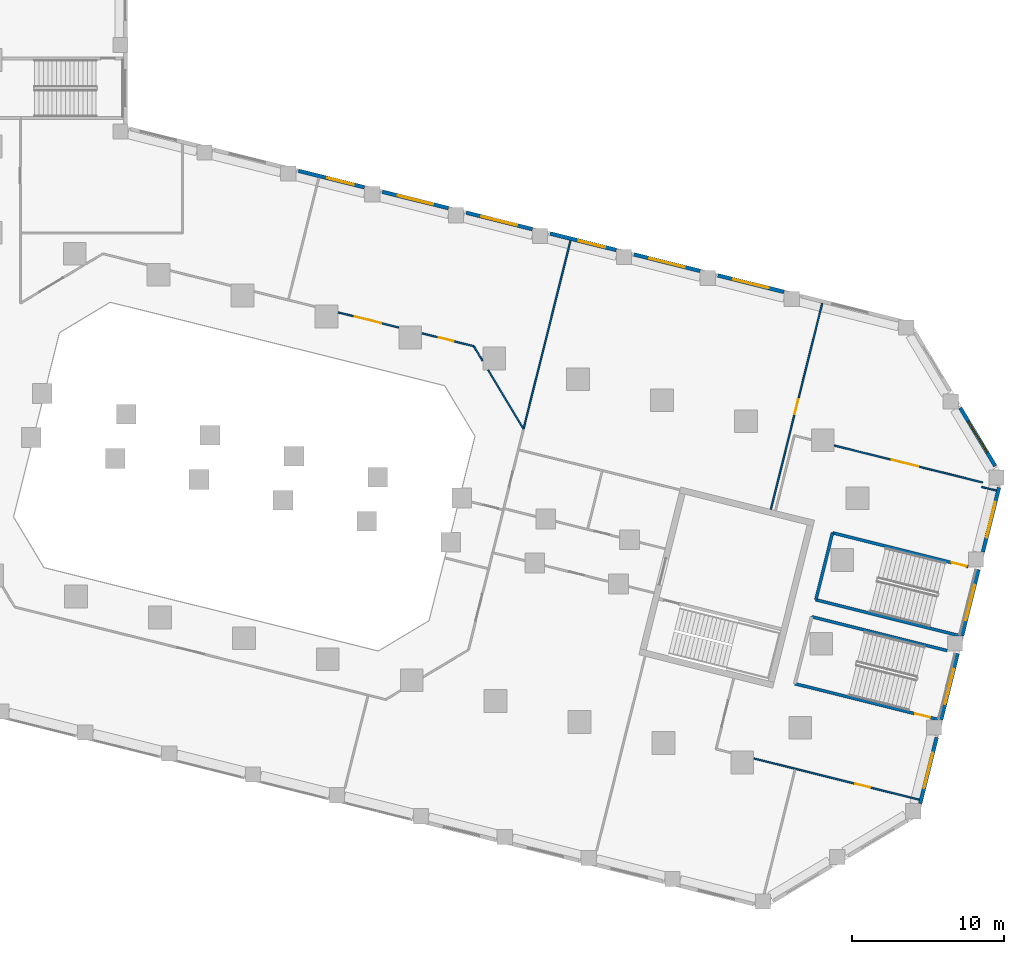
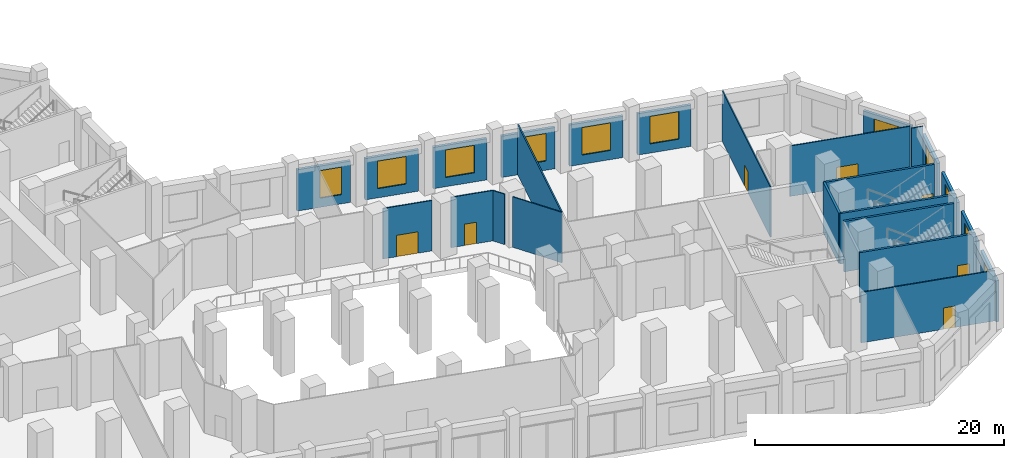
# One storey, part 13 of 23: 25 walls, 11 windows, 7 doors, 18 openings.
"""IFC4 building model written with IfcOpenShell, lengths in metres."""

from ifc_helpers import new_model, si_unit, direction, frame, frame_2d, origin, place, context, subcontext, project, spatial, rectangle, extrude, material, layer, layer_set, type_object, element, fill, save


model = new_model("IFC4")

# Units and contexts
model_context = context("Model", 3, precision=1e-05, world=origin(), true_north=direction((0.0, 1.0)))
body_context = subcontext(model_context, "Body", "Model", "MODEL_VIEW")
ifc_project = project(units=[si_unit("LENGTHUNIT", "METRE"), si_unit("AREAUNIT", "SQUARE_METRE"), si_unit("VOLUMEUNIT", "CUBIC_METRE"), si_unit("PLANEANGLEUNIT", "RADIAN"), si_unit("MASSUNIT", "GRAM", prefix="KILO")], contexts=[model_context])

# Site, building, storey
site_placement = place(None, origin())
site = spatial("IfcSite", under=ifc_project, at=site_placement, CompositionType="ELEMENT")
building_placement = place(site_placement, origin())
building = spatial("IfcBuilding", under=site, at=building_placement, Name="Meshkara Civic Tower", CompositionType="ELEMENT")
storey_placement = place(building_placement, frame((0.0, 0.0, 7.199951171875)))
storey = spatial("IfcBuildingStorey", under=building, at=storey_placement, Name="L01", CompositionType="ELEMENT", Elevation=7.199951171875)

# Wall, opening, door
ifc_material_1 = material(Name="Corridor wall 100")
ifc_layer_1 = layer(ifc_material_1, 0.10009765625)
ifc_layer_set_1 = layer_set([ifc_layer_1], Name="Corridor wall 100")
wall_type_1 = type_object("IfcWallType", Name="Corridor wall 100", PredefinedType="PARTITIONING", material=ifc_layer_set_1)
wall_1_placement = place(storey_placement, frame((60.23291015625, 8.48095703125, 0.0), z_axis=(0.0, 0.0, 1.0), x_axis=(-0.970334285258, 0.241767191432, 0.0)))
wall_1 = element("IfcWall", 1, at=wall_1_placement, inside=storey, type_object=wall_type_1, Name="L01-R057", PredefinedType="PARTITIONING", context=body_context, shape_type="SweptSolid", body=[
    extrude(rectangle(XDim=4.112060546875, YDim=0.10009765625, at=frame_2d((2.05615234375, 0.0))), origin(), (0.0, 0.0, 1.0), 4.949951171875),
])
opening_1_placement = place(wall_1_placement, frame((1.179931640625, 0.0, 0.0)))
opening_1 = element("IfcOpeningElement", 2, at=opening_1_placement, cuts=wall_1, Name="Opening L01-P019", PredefinedType="OPENING", context=body_context, shape_type="SweptSolid", body=[
    extrude(rectangle(XDim=1.800048828125, YDim=2.10009765625, at=frame_2d((0.89990234375, 1.050048828125))), frame((0.0, 0.06005859375, 0.0), z_axis=(0.0, -1.0, 0.0), x_axis=(1.0, 0.0, 0.0)), (0.0, 0.0, 1.0), 0.1201171875),
])
ifc_material_2 = material(Name="Door pair 1800 x 2100")
door_type_1 = type_object("IfcDoorType", Name="Door pair 1800 x 2100", OperationType="SINGLE_SWING_LEFT", PredefinedType="DOOR", material=ifc_material_2)
door_1_placement = place(opening_1_placement, origin())
door_1 = element("IfcDoor", 3, at=door_1_placement, inside=storey, type_object=door_type_1, Name="L01-P019", OperationType="DOUBLE_DOOR_SINGLE_SWING", OverallHeight=2.10009765625, OverallWidth=1.800048828125, PredefinedType="DOOR", context=body_context, shape_type="SweptSolid", body=[
    extrude(rectangle(XDim=1.800048828125, YDim=2.10009765625, at=frame_2d((0.89990234375, 1.050048828125))), frame((0.0, 0.02490234375, 0.0), z_axis=(0.0, -1.0, 0.0), x_axis=(1.0, 0.0, 0.0)), (0.0, 0.0, 1.0), 0.050048828125),
])
fill(opening_1, door_1)

wall_2_placement = place(storey_placement, frame((65.18896484375, 7.2451171875, 0.0), z_axis=(0.0, 0.0, 1.0), x_axis=(-0.97028917266, 0.241948179203, 0.0)))
wall_2 = element("IfcWall", 4, at=wall_2_placement, inside=storey, type_object=wall_type_1, Name="L01-R061", PredefinedType="PARTITIONING", context=body_context, shape_type="SweptSolid", body=[
    extrude(rectangle(XDim=3.5205078125, YDim=0.10009765625, at=frame_2d((1.76025390625, 0.0))), origin(), (0.0, 0.0, 1.0), 4.949951171875),
])
opening_2_placement = place(wall_2_placement, frame((1.3798828125, 0.0, 0.0)))
opening_2 = element("IfcOpeningElement", 5, at=opening_2_placement, cuts=wall_2, Name="Opening L01-P020", PredefinedType="OPENING", context=body_context, shape_type="SweptSolid", body=[
    extrude(rectangle(XDim=1.0, YDim=2.10009765625, at=frame_2d((0.5, 1.050048828125))), frame((0.0, 0.06005859375, 0.0), z_axis=(0.0, -1.0, 0.0), x_axis=(1.0, 0.0, 0.0)), (0.0, 0.0, 1.0), 0.1201171875),
])
ifc_material_3 = material(Name="Door 1000 x 2100")
door_type_2 = type_object("IfcDoorType", Name="Door 1000 x 2100", OperationType="SINGLE_SWING_LEFT", PredefinedType="DOOR", material=ifc_material_3)
door_2_placement = place(opening_2_placement, origin())
door_2 = element("IfcDoor", 6, at=door_2_placement, inside=storey, type_object=door_type_2, Name="L01-P020", OperationType="SINGLE_SWING_RIGHT", OverallHeight=2.10009765625, OverallWidth=1.0, PredefinedType="DOOR", context=body_context, shape_type="SweptSolid", body=[
    extrude(rectangle(XDim=1.0, YDim=2.10009765625, at=frame_2d((0.5, 1.050048828125))), frame((0.0, 0.02490234375, 0.0), z_axis=(0.0, -1.0, 0.0), x_axis=(1.0, 0.0, 0.0)), (0.0, 0.0, 1.0), 0.050048828125),
])
fill(opening_2, door_2)

# Walls
wall_3_placement = place(storey_placement, frame((65.763916015625, 6.2880859375, 0.0), z_axis=(0.0, 0.0, 1.0), x_axis=(-0.514978043865, 0.857203368132, 0.0)))
element("IfcWall", 7, at=wall_3_placement, inside=storey, type_object=wall_type_1, Name="L01-R062", PredefinedType="PARTITIONING", context=body_context, shape_type="SweptSolid", body=[
    extrude(rectangle(XDim=1.116455078125, YDim=0.10009765625, at=frame_2d((0.55810546875, 0.0))), origin(), (0.0, 0.0, 1.0), 4.949951171875),
])
wall_4_placement = place(storey_placement, frame((68.467041015625, 1.791015625, 0.0), z_axis=(0.0, 0.0, 1.0), x_axis=(-0.51507403496, 0.857145692697, 0.0)))
element("IfcWall", 8, at=wall_4_placement, inside=storey, type_object=wall_type_1, Name="L01-R067", PredefinedType="PARTITIONING", context=body_context, shape_type="SweptSolid", body=[
    extrude(rectangle(XDim=4.53125, YDim=0.10009765625, at=frame_2d((2.265625, 0.0))), origin(), (0.0, 0.0, 1.0), 4.949951171875),
])

# Wall, opening, door
wall_5_placement = place(storey_placement, frame((83.657958984375, -19.930908203125, 0.0), z_axis=(0.0, 0.0, 1.0), x_axis=(0.970304770319, -0.241885619034, 0.0)))
wall_5 = element("IfcWall", 9, at=wall_5_placement, inside=storey, type_object=wall_type_1, Name="L01-R075", PredefinedType="PARTITIONING", context=body_context, shape_type="SweptSolid", body=[
    extrude(rectangle(XDim=11.224609375, YDim=0.10009765625, at=frame_2d((5.6123046875, 0.0))), origin(), (0.0, 0.0, 1.0), 4.949951171875),
])
opening_3_placement = place(wall_5_placement, frame((6.885009765625, 0.0, 0.0)))
opening_3 = element("IfcOpeningElement", 10, at=opening_3_placement, cuts=wall_5, Name="Opening L01-P001", PredefinedType="OPENING", context=body_context, shape_type="SweptSolid", body=[
    extrude(rectangle(XDim=1.0, YDim=2.10009765625, at=frame_2d((0.5, 1.050048828125))), frame((0.0, 0.06005859375, 0.0), z_axis=(0.0, -1.0, 0.0), x_axis=(1.0, 0.0, 0.0)), (0.0, 0.0, 1.0), 0.1201171875),
])
door_3_placement = place(opening_3_placement, origin())
door_3 = element("IfcDoor", 11, at=door_3_placement, inside=storey, type_object=door_type_2, Name="L01-P001", OperationType="SINGLE_SWING_RIGHT", OverallHeight=2.10009765625, OverallWidth=1.0, PredefinedType="DOOR", context=body_context, shape_type="SweptSolid", body=[
    extrude(rectangle(XDim=1.0, YDim=2.10009765625, at=frame_2d((0.5, 1.050048828125))), frame((0.0, 0.02490234375, 0.0), z_axis=(0.0, -1.0, 0.0), x_axis=(1.0, 0.0, 0.0)), (0.0, 0.0, 1.0), 0.050048828125),
])
fill(opening_3, door_3)

wall_6_placement = place(storey_placement, frame((98.73291015625, -1.737060546875, 0.0), z_axis=(0.0, 0.0, 1.0), x_axis=(-0.970310450884, 0.241862830763, 0.0)))
wall_6 = element("IfcWall", 12, at=wall_6_placement, inside=storey, type_object=wall_type_1, Name="L01-R084", PredefinedType="PARTITIONING", context=body_context, shape_type="SweptSolid", body=[
    extrude(rectangle(XDim=10.075927734375, YDim=0.10009765625, at=frame_2d((5.0380859375, 0.0))), origin(), (0.0, 0.0, 1.0), 4.949951171875),
])
opening_4_placement = place(wall_6_placement, frame((4.3798828125, 0.0, 0.0)))
opening_4 = element("IfcOpeningElement", 13, at=opening_4_placement, cuts=wall_6, Name="Opening L01-P012", PredefinedType="OPENING", context=body_context, shape_type="SweptSolid", body=[
    extrude(rectangle(XDim=1.800048828125, YDim=2.10009765625, at=frame_2d((0.89990234375, 1.050048828125))), frame((0.0, 0.06005859375, 0.0), z_axis=(0.0, -1.0, 0.0), x_axis=(1.0, 0.0, 0.0)), (0.0, 0.0, 1.0), 0.1201171875),
])
door_4_placement = place(opening_4_placement, origin())
door_4 = element("IfcDoor", 14, at=door_4_placement, inside=storey, type_object=door_type_1, Name="L01-P012", OperationType="DOUBLE_DOOR_SINGLE_SWING", OverallHeight=2.10009765625, OverallWidth=1.800048828125, PredefinedType="DOOR", context=body_context, shape_type="SweptSolid", body=[
    extrude(rectangle(XDim=1.800048828125, YDim=2.10009765625, at=frame_2d((0.89990234375, 1.050048828125))), frame((0.0, 0.02490234375, 0.0), z_axis=(0.0, -1.0, 0.0), x_axis=(1.0, 0.0, 0.0)), (0.0, 0.0, 1.0), 0.050048828125),
])
fill(opening_4, door_4)

# Wall
wall_7_placement = place(storey_placement, frame((99.63037109375, -2.27001953125, 0.0), z_axis=(0.0, 0.0, 1.0), x_axis=(-0.970300241929, 0.241903783585, 0.0)))
element("IfcWall", 15, at=wall_7_placement, inside=storey, type_object=wall_type_1, Name="L01-R085", PredefinedType="PARTITIONING", context=body_context, shape_type="SweptSolid", body=[
    extrude(rectangle(XDim=1.000244140625, YDim=0.10009765625, at=frame_2d((0.5, 0.0))), origin(), (0.0, 0.0, 1.0), 4.949951171875),
])

# Wall, opening, window
ifc_material_4 = material(Name="Stone cladding on insulated backing wall", Category="masonry")
ifc_layer_2 = layer(ifc_material_4, 0.25)
ifc_layer_set_2 = layer_set([ifc_layer_2], Name="PODIUM STONE WALL 250")
wall_type_2 = type_object("IfcWallType", Name="PODIUM STONE WALL 250", PredefinedType="SOLIDWALL", material=ifc_layer_set_2)
wall_8_placement = place(storey_placement, frame((94.614990234375, -22.89892578125, 0.0), z_axis=(0.0, 0.0, 1.0), x_axis=(0.241946839653, 0.970289506684, 0.0)))
wall_8 = element("IfcWall", 16, at=wall_8_placement, inside=storey, type_object=wall_type_2, Name="Podium external wall", PredefinedType="SOLIDWALL", context=body_context, shape_type="SweptSolid", body=[
    extrude(rectangle(XDim=4.48828125, YDim=0.25, at=frame_2d((2.244140625, 0.0))), origin(), (0.0, 0.0, 1.0), 4.050048828125),
])
opening_5_placement = place(wall_8_placement, frame((1.0439453125, 0.0, 0.89990234375)))
opening_5 = element("IfcOpeningElement", 17, at=opening_5_placement, cuts=wall_8, Name="Opening PW4", PredefinedType="OPENING", context=body_context, shape_type="SweptSolid", body=[
    extrude(rectangle(XDim=2.39990234375, YDim=2.699951171875, at=frame_2d((1.199951171875, 1.35009765625))), frame((0.0, 0.135009765625, 0.0), z_axis=(0.0, -1.0, 0.0), x_axis=(1.0, 0.0, 0.0)), (0.0, 0.0, 1.0), 0.27001953125),
])
ifc_material_5 = material(Name="Tinted double glazing", Category="glass")
window_type_1 = type_object("IfcWindowType", Name="PODIUM WINDOW 2400x2700", PartitioningType="DOUBLE_PANEL_VERTICAL", PredefinedType="WINDOW", material=ifc_material_5)
window_1_placement = place(opening_5_placement, origin())
window_1 = element("IfcWindow", 18, at=window_1_placement, inside=storey, type_object=window_type_1, Name="Podium window", OverallHeight=2.699951171875, OverallWidth=2.39990234375, PartitioningType="DOUBLE_PANEL_VERTICAL", PredefinedType="WINDOW", context=body_context, shape_type="SweptSolid", body=[
    extrude(rectangle(XDim=2.39990234375, YDim=2.699951171875, at=frame_2d((1.199951171875, 1.35009765625))), frame((0.0, 0.030029296875, 0.0), z_axis=(0.0, -1.0, 0.0), x_axis=(1.0, 0.0, 0.0)), (0.0, 0.0, 1.0), 0.06005859375),
])
fill(opening_5, window_1)

wall_9_placement = place(storey_placement, frame((95.9951171875, -17.367919921875, 0.0), z_axis=(0.0, 0.0, 1.0), x_axis=(0.241793032904, 0.970327846266, 0.0)))
wall_9 = element("IfcWall", 19, at=wall_9_placement, inside=storey, type_object=wall_type_2, Name="Podium external wall", PredefinedType="SOLIDWALL", context=body_context, shape_type="SweptSolid", body=[
    extrude(rectangle(XDim=4.487060546875, YDim=0.25, at=frame_2d((2.24365234375, 0.0))), origin(), (0.0, 0.0, 1.0), 4.050048828125),
])
opening_6_placement = place(wall_9_placement, frame((1.0439453125, 0.0, 0.89990234375)))
opening_6 = element("IfcOpeningElement", 20, at=opening_6_placement, cuts=wall_9, Name="Opening PW4", PredefinedType="OPENING", context=body_context, shape_type="SweptSolid", body=[
    extrude(rectangle(XDim=2.39990234375, YDim=2.699951171875, at=frame_2d((1.199951171875, 1.35009765625))), frame((0.0, 0.135009765625, 0.0), z_axis=(0.0, -1.0, 0.0), x_axis=(1.0, 0.0, 0.0)), (0.0, 0.0, 1.0), 0.27001953125),
])
window_2_placement = place(opening_6_placement, origin())
window_2 = element("IfcWindow", 21, at=window_2_placement, inside=storey, type_object=window_type_1, Name="Podium window", OverallHeight=2.699951171875, OverallWidth=2.39990234375, PartitioningType="DOUBLE_PANEL_VERTICAL", PredefinedType="WINDOW", context=body_context, shape_type="SweptSolid", body=[
    extrude(rectangle(XDim=2.39990234375, YDim=2.699951171875, at=frame_2d((1.199951171875, 1.35009765625))), frame((0.0, 0.030029296875, 0.0), z_axis=(0.0, -1.0, 0.0), x_axis=(1.0, 0.0, 0.0)), (0.0, 0.0, 1.0), 0.06005859375),
])
fill(opening_6, window_2)

wall_10_placement = place(storey_placement, frame((97.373046875, -11.837890625, 0.0), z_axis=(0.0, 0.0, 1.0), x_axis=(0.241946839653, 0.970289506684, 0.0)))
wall_10 = element("IfcWall", 22, at=wall_10_placement, inside=storey, type_object=wall_type_2, Name="Podium external wall", PredefinedType="SOLIDWALL", context=body_context, shape_type="SweptSolid", body=[
    extrude(rectangle(XDim=4.48828125, YDim=0.25, at=frame_2d((2.244140625, 0.0))), origin(), (0.0, 0.0, 1.0), 4.050048828125),
])
opening_7_placement = place(wall_10_placement, frame((1.0439453125, 0.0, 0.89990234375)))
opening_7 = element("IfcOpeningElement", 23, at=opening_7_placement, cuts=wall_10, Name="Opening PW4", PredefinedType="OPENING", context=body_context, shape_type="SweptSolid", body=[
    extrude(rectangle(XDim=2.39990234375, YDim=2.699951171875, at=frame_2d((1.199951171875, 1.35009765625))), frame((0.0, 0.135009765625, 0.0), z_axis=(0.0, -1.0, 0.0), x_axis=(1.0, 0.0, 0.0)), (0.0, 0.0, 1.0), 0.27001953125),
])
window_3_placement = place(opening_7_placement, origin())
window_3 = element("IfcWindow", 24, at=window_3_placement, inside=storey, type_object=window_type_1, Name="Podium window", OverallHeight=2.699951171875, OverallWidth=2.39990234375, PartitioningType="DOUBLE_PANEL_VERTICAL", PredefinedType="WINDOW", context=body_context, shape_type="SweptSolid", body=[
    extrude(rectangle(XDim=2.39990234375, YDim=2.699951171875, at=frame_2d((1.199951171875, 1.35009765625))), frame((0.0, 0.030029296875, 0.0), z_axis=(0.0, -1.0, 0.0), x_axis=(1.0, 0.0, 0.0)), (0.0, 0.0, 1.0), 0.06005859375),
])
fill(opening_7, window_3)

wall_11_placement = place(storey_placement, frame((98.7529296875, -6.306884765625, 0.0), z_axis=(0.0, 0.0, 1.0), x_axis=(0.241823818975, 0.97032017426, 0.0)))
wall_11 = element("IfcWall", 25, at=wall_11_placement, inside=storey, type_object=wall_type_2, Name="Podium external wall", PredefinedType="SOLIDWALL", context=body_context, shape_type="SweptSolid", body=[
    extrude(rectangle(XDim=4.3583984375, YDim=0.25, at=frame_2d((2.17919921875, 0.0))), origin(), (0.0, 0.0, 1.0), 4.050048828125),
])
opening_8_placement = place(wall_11_placement, frame((0.97900390625, 0.0, 0.89990234375)))
opening_8 = element("IfcOpeningElement", 26, at=opening_8_placement, cuts=wall_11, Name="Opening PW4", PredefinedType="OPENING", context=body_context, shape_type="SweptSolid", body=[
    extrude(rectangle(XDim=2.39990234375, YDim=2.699951171875, at=frame_2d((1.199951171875, 1.35009765625))), frame((0.0, 0.135009765625, 0.0), z_axis=(0.0, -1.0, 0.0), x_axis=(1.0, 0.0, 0.0)), (0.0, 0.0, 1.0), 0.27001953125),
])
window_4_placement = place(opening_8_placement, origin())
window_4 = element("IfcWindow", 27, at=window_4_placement, inside=storey, type_object=window_type_1, Name="Podium window", OverallHeight=2.699951171875, OverallWidth=2.39990234375, PartitioningType="DOUBLE_PANEL_VERTICAL", PredefinedType="WINDOW", context=body_context, shape_type="SweptSolid", body=[
    extrude(rectangle(XDim=2.39990234375, YDim=2.699951171875, at=frame_2d((1.199951171875, 1.35009765625))), frame((0.0, 0.030029296875, 0.0), z_axis=(0.0, -1.0, 0.0), x_axis=(1.0, 0.0, 0.0)), (0.0, 0.0, 1.0), 0.06005859375),
])
fill(opening_8, window_4)

wall_12_placement = place(storey_placement, frame((99.56298828125, -0.655029296875, 0.0), z_axis=(0.0, 0.0, 1.0), x_axis=(-0.515145569797, 0.857102702083, 0.0)))
wall_12 = element("IfcWall", 28, at=wall_12_placement, inside=storey, type_object=wall_type_2, Name="Podium external wall", PredefinedType="SOLIDWALL", context=body_context, shape_type="SweptSolid", body=[
    extrude(rectangle(XDim=4.474365234375, YDim=0.25, at=frame_2d((2.2373046875, 0.0))), origin(), (0.0, 0.0, 1.0), 4.050048828125),
])
opening_9_placement = place(wall_12_placement, frame((1.037109375, 0.0, 0.89990234375)))
opening_9 = element("IfcOpeningElement", 29, at=opening_9_placement, cuts=wall_12, Name="Opening PW4", PredefinedType="OPENING", context=body_context, shape_type="SweptSolid", body=[
    extrude(rectangle(XDim=2.39990234375, YDim=2.699951171875, at=frame_2d((1.199951171875, 1.35009765625))), frame((0.0, 0.135009765625, 0.0), z_axis=(0.0, -1.0, 0.0), x_axis=(1.0, 0.0, 0.0)), (0.0, 0.0, 1.0), 0.27001953125),
])
window_5_placement = place(opening_9_placement, origin())
window_5 = element("IfcWindow", 30, at=window_5_placement, inside=storey, type_object=window_type_1, Name="Podium window", OverallHeight=2.699951171875, OverallWidth=2.39990234375, PartitioningType="DOUBLE_PANEL_VERTICAL", PredefinedType="WINDOW", context=body_context, shape_type="SweptSolid", body=[
    extrude(rectangle(XDim=2.39990234375, YDim=2.699951171875, at=frame_2d((1.199951171875, 1.35009765625))), frame((0.0, 0.030029296875, 0.0), z_axis=(0.0, -1.0, 0.0), x_axis=(1.0, 0.0, 0.0)), (0.0, 0.0, 1.0), 0.06005859375),
])
fill(opening_9, window_5)

wall_13_placement = place(storey_placement, frame((85.635986328125, 10.8291015625, 0.0), z_axis=(0.0, 0.0, 1.0), x_axis=(-0.970327846266, 0.241793032904, 0.0)))
wall_13 = element("IfcWall", 31, at=wall_13_placement, inside=storey, type_object=wall_type_2, Name="Podium external wall", PredefinedType="SOLIDWALL", context=body_context, shape_type="SweptSolid", body=[
    extrude(rectangle(XDim=4.487060546875, YDim=0.25, at=frame_2d((2.24365234375, 0.0))), origin(), (0.0, 0.0, 1.0), 4.050048828125),
])
opening_10_placement = place(wall_13_placement, frame((1.0439453125, 0.0, 0.89990234375)))
opening_10 = element("IfcOpeningElement", 32, at=opening_10_placement, cuts=wall_13, Name="Opening PW4", PredefinedType="OPENING", context=body_context, shape_type="SweptSolid", body=[
    extrude(rectangle(XDim=2.39990234375, YDim=2.699951171875, at=frame_2d((1.199951171875, 1.35009765625))), frame((0.0, 0.135009765625, 0.0), z_axis=(0.0, -1.0, 0.0), x_axis=(1.0, 0.0, 0.0)), (0.0, 0.0, 1.0), 0.27001953125),
])
window_6_placement = place(opening_10_placement, origin())
window_6 = element("IfcWindow", 33, at=window_6_placement, inside=storey, type_object=window_type_1, Name="Podium window", OverallHeight=2.699951171875, OverallWidth=2.39990234375, PartitioningType="DOUBLE_PANEL_VERTICAL", PredefinedType="WINDOW", context=body_context, shape_type="SweptSolid", body=[
    extrude(rectangle(XDim=2.39990234375, YDim=2.699951171875, at=frame_2d((1.199951171875, 1.35009765625))), frame((0.0, 0.030029296875, 0.0), z_axis=(0.0, -1.0, 0.0), x_axis=(1.0, 0.0, 0.0)), (0.0, 0.0, 1.0), 0.06005859375),
])
fill(opening_10, window_6)

wall_14_placement = place(storey_placement, frame((80.10595703125, 12.2080078125, 0.0), z_axis=(0.0, 0.0, 1.0), x_axis=(-0.970289506684, 0.241946839653, 0.0)))
wall_14 = element("IfcWall", 34, at=wall_14_placement, inside=storey, type_object=wall_type_2, Name="Podium external wall", PredefinedType="SOLIDWALL", context=body_context, shape_type="SweptSolid", body=[
    extrude(rectangle(XDim=4.48828125, YDim=0.25, at=frame_2d((2.244140625, 0.0))), origin(), (0.0, 0.0, 1.0), 4.050048828125),
])
opening_11_placement = place(wall_14_placement, frame((1.0439453125, 0.0, 0.89990234375)))
opening_11 = element("IfcOpeningElement", 35, at=opening_11_placement, cuts=wall_14, Name="Opening PW4", PredefinedType="OPENING", context=body_context, shape_type="SweptSolid", body=[
    extrude(rectangle(XDim=2.39990234375, YDim=2.699951171875, at=frame_2d((1.199951171875, 1.35009765625))), frame((0.0, 0.135009765625, 0.0), z_axis=(0.0, -1.0, 0.0), x_axis=(1.0, 0.0, 0.0)), (0.0, 0.0, 1.0), 0.27001953125),
])
window_7_placement = place(opening_11_placement, origin())
window_7 = element("IfcWindow", 36, at=window_7_placement, inside=storey, type_object=window_type_1, Name="Podium window", OverallHeight=2.699951171875, OverallWidth=2.39990234375, PartitioningType="DOUBLE_PANEL_VERTICAL", PredefinedType="WINDOW", context=body_context, shape_type="SweptSolid", body=[
    extrude(rectangle(XDim=2.39990234375, YDim=2.699951171875, at=frame_2d((1.199951171875, 1.35009765625))), frame((0.0, 0.030029296875, 0.0), z_axis=(0.0, -1.0, 0.0), x_axis=(1.0, 0.0, 0.0)), (0.0, 0.0, 1.0), 0.06005859375),
])
fill(opening_11, window_7)

wall_15_placement = place(storey_placement, frame((74.574951171875, 13.5869140625, 0.0), z_axis=(0.0, 0.0, 1.0), x_axis=(-0.970276735926, 0.241998049004, 0.0)))
wall_15 = element("IfcWall", 37, at=wall_15_placement, inside=storey, type_object=wall_type_2, Name="Podium external wall", PredefinedType="SOLIDWALL", context=body_context, shape_type="SweptSolid", body=[
    extrude(rectangle(XDim=4.48828125, YDim=0.25, at=frame_2d((2.244140625, 0.0))), origin(), (0.0, 0.0, 1.0), 4.050048828125),
])
opening_12_placement = place(wall_15_placement, frame((0.736083984375, 0.0, 0.89990234375)))
opening_12 = element("IfcOpeningElement", 38, at=opening_12_placement, cuts=wall_15, Name="Opening PW5", PredefinedType="OPENING", context=body_context, shape_type="SweptSolid", body=[
    extrude(rectangle(XDim=1.800048828125, YDim=2.699951171875, at=frame_2d((0.89990234375, 1.35009765625))), frame((0.0, 0.135009765625, 0.0), z_axis=(0.0, -1.0, 0.0), x_axis=(1.0, 0.0, 0.0)), (0.0, 0.0, 1.0), 0.27001953125),
])
ifc_material_6 = material(Name="Tinted double glazing", Category="glass")
window_type_2 = type_object("IfcWindowType", Name="PODIUM WINDOW 1800x2700", PartitioningType="DOUBLE_PANEL_VERTICAL", PredefinedType="WINDOW", material=ifc_material_6)
window_8_placement = place(opening_12_placement, origin())
window_8 = element("IfcWindow", 39, at=window_8_placement, inside=storey, type_object=window_type_2, Name="Podium window", OverallHeight=2.699951171875, OverallWidth=1.800048828125, PartitioningType="DOUBLE_PANEL_VERTICAL", PredefinedType="WINDOW", context=body_context, shape_type="SweptSolid", body=[
    extrude(rectangle(XDim=1.800048828125, YDim=2.699951171875, at=frame_2d((0.89990234375, 1.35009765625))), frame((0.0, 0.030029296875, 0.0), z_axis=(0.0, -1.0, 0.0), x_axis=(1.0, 0.0, 0.0)), (0.0, 0.0, 1.0), 0.06005859375),
])
fill(opening_12, window_8)

wall_16_placement = place(storey_placement, frame((69.0439453125, 14.966064453125, 0.0), z_axis=(0.0, 0.0, 1.0), x_axis=(-0.970276766004, 0.241997928406, 0.0)))
wall_16 = element("IfcWall", 40, at=wall_16_placement, inside=storey, type_object=wall_type_2, Name="Podium external wall", PredefinedType="SOLIDWALL", context=body_context, shape_type="SweptSolid", body=[
    extrude(rectangle(XDim=4.4873046875, YDim=0.25, at=frame_2d((2.24365234375, 0.0))), origin(), (0.0, 0.0, 1.0), 4.050048828125),
])
opening_13_placement = place(wall_16_placement, frame((1.0439453125, 0.0, 0.89990234375)))
opening_13 = element("IfcOpeningElement", 41, at=opening_13_placement, cuts=wall_16, Name="Opening PW4", PredefinedType="OPENING", context=body_context, shape_type="SweptSolid", body=[
    extrude(rectangle(XDim=2.39990234375, YDim=2.699951171875, at=frame_2d((1.199951171875, 1.35009765625))), frame((0.0, 0.135009765625, 0.0), z_axis=(0.0, -1.0, 0.0), x_axis=(1.0, 0.0, 0.0)), (0.0, 0.0, 1.0), 0.27001953125),
])
window_9_placement = place(opening_13_placement, origin())
window_9 = element("IfcWindow", 42, at=window_9_placement, inside=storey, type_object=window_type_1, Name="Podium window", OverallHeight=2.699951171875, OverallWidth=2.39990234375, PartitioningType="DOUBLE_PANEL_VERTICAL", PredefinedType="WINDOW", context=body_context, shape_type="SweptSolid", body=[
    extrude(rectangle(XDim=2.39990234375, YDim=2.699951171875, at=frame_2d((1.199951171875, 1.35009765625))), frame((0.0, 0.030029296875, 0.0), z_axis=(0.0, -1.0, 0.0), x_axis=(1.0, 0.0, 0.0)), (0.0, 0.0, 1.0), 0.06005859375),
])
fill(opening_13, window_9)

wall_17_placement = place(storey_placement, frame((63.513916015625, 16.344970703125, 0.0), z_axis=(0.0, 0.0, 1.0), x_axis=(-0.970289506684, 0.241946839653, 0.0)))
wall_17 = element("IfcWall", 43, at=wall_17_placement, inside=storey, type_object=wall_type_2, Name="Podium external wall", PredefinedType="SOLIDWALL", context=body_context, shape_type="SweptSolid", body=[
    extrude(rectangle(XDim=4.48828125, YDim=0.25, at=frame_2d((2.244140625, 0.0))), origin(), (0.0, 0.0, 1.0), 4.050048828125),
])
opening_14_placement = place(wall_17_placement, frame((1.0439453125, 0.0, 0.89990234375)))
opening_14 = element("IfcOpeningElement", 44, at=opening_14_placement, cuts=wall_17, Name="Opening PW4", PredefinedType="OPENING", context=body_context, shape_type="SweptSolid", body=[
    extrude(rectangle(XDim=2.39990234375, YDim=2.699951171875, at=frame_2d((1.199951171875, 1.35009765625))), frame((0.0, 0.135009765625, 0.0), z_axis=(0.0, -1.0, 0.0), x_axis=(1.0, 0.0, 0.0)), (0.0, 0.0, 1.0), 0.27001953125),
])
window_10_placement = place(opening_14_placement, origin())
window_10 = element("IfcWindow", 45, at=window_10_placement, inside=storey, type_object=window_type_1, Name="Podium window", OverallHeight=2.699951171875, OverallWidth=2.39990234375, PartitioningType="DOUBLE_PANEL_VERTICAL", PredefinedType="WINDOW", context=body_context, shape_type="SweptSolid", body=[
    extrude(rectangle(XDim=2.39990234375, YDim=2.699951171875, at=frame_2d((1.199951171875, 1.35009765625))), frame((0.0, 0.030029296875, 0.0), z_axis=(0.0, -1.0, 0.0), x_axis=(1.0, 0.0, 0.0)), (0.0, 0.0, 1.0), 0.06005859375),
])
fill(opening_14, window_10)

wall_18_placement = place(storey_placement, frame((57.98291015625, 17.72412109375, 0.0), z_axis=(0.0, 0.0, 1.0), x_axis=(-0.970289506684, 0.241946839653, 0.0)))
wall_18 = element("IfcWall", 46, at=wall_18_placement, inside=storey, type_object=wall_type_2, Name="Podium external wall", PredefinedType="SOLIDWALL", context=body_context, shape_type="SweptSolid", body=[
    extrude(rectangle(XDim=4.48828125, YDim=0.25, at=frame_2d((2.244140625, 0.0))), origin(), (0.0, 0.0, 1.0), 4.050048828125),
])
opening_15_placement = place(wall_18_placement, frame((0.736083984375, 0.0, 0.89990234375)))
opening_15 = element("IfcOpeningElement", 47, at=opening_15_placement, cuts=wall_18, Name="Opening PW5", PredefinedType="OPENING", context=body_context, shape_type="SweptSolid", body=[
    extrude(rectangle(XDim=1.800048828125, YDim=2.699951171875, at=frame_2d((0.89990234375, 1.35009765625))), frame((0.0, 0.135009765625, 0.0), z_axis=(0.0, -1.0, 0.0), x_axis=(1.0, 0.0, 0.0)), (0.0, 0.0, 1.0), 0.27001953125),
])
window_11_placement = place(opening_15_placement, origin())
window_11 = element("IfcWindow", 48, at=window_11_placement, inside=storey, type_object=window_type_2, Name="Podium window", OverallHeight=2.699951171875, OverallWidth=1.800048828125, PartitioningType="DOUBLE_PANEL_VERTICAL", PredefinedType="WINDOW", context=body_context, shape_type="SweptSolid", body=[
    extrude(rectangle(XDim=1.800048828125, YDim=2.699951171875, at=frame_2d((0.89990234375, 1.35009765625))), frame((0.0, 0.030029296875, 0.0), z_axis=(0.0, -1.0, 0.0), x_axis=(1.0, 0.0, 0.0)), (0.0, 0.0, 1.0), 0.06005859375),
])
fill(opening_15, window_11)

# Wall
ifc_material_7 = material(Name="Partition 100")
ifc_layer_3 = layer(ifc_material_7, 0.10009765625)
ifc_layer_set_3 = layer_set([ifc_layer_3], Name="Partition 100")
wall_type_3 = type_object("IfcWallType", Name="Partition 100", PredefinedType="PARTITIONING", material=ifc_layer_set_3)
wall_19_placement = place(storey_placement, frame((68.466064453125, 1.787109375, 0.0), z_axis=(0.0, 0.0, 1.0), x_axis=(0.241902898303, 0.970300462637, 0.0)))
element("IfcWall", 49, at=wall_19_placement, inside=storey, type_object=wall_type_3, Name="L01-R115", PredefinedType="PARTITIONING", context=body_context, shape_type="SweptSolid", body=[
    extrude(rectangle(XDim=12.80224609375, YDim=0.10009765625, at=frame_2d((6.401123046875, 0.0))), origin(), (0.0, 0.0, 1.0), 4.949951171875),
])

# Wall, opening, door
wall_20_placement = place(storey_placement, frame((84.76806640625, -3.511962890625, 0.0), z_axis=(0.0, 0.0, 1.0), x_axis=(0.241944715397, 0.970290036376, 0.0)))
wall_20 = element("IfcWall", 50, at=wall_20_placement, inside=storey, type_object=wall_type_3, Name="L01-R119", PredefinedType="PARTITIONING", context=body_context, shape_type="SweptSolid", body=[
    extrude(rectangle(XDim=14.0, YDim=0.10009765625, at=frame_2d((7.0, 0.0))), origin(), (0.0, 0.0, 1.0), 4.949951171875),
])
opening_16_placement = place(wall_20_placement, frame((6.47509765625, 0.0, 0.0)))
opening_16 = element("IfcOpeningElement", 51, at=opening_16_placement, cuts=wall_20, Name="Opening L01-P014", PredefinedType="OPENING", context=body_context, shape_type="SweptSolid", body=[
    extrude(rectangle(XDim=1.0, YDim=2.10009765625, at=frame_2d((0.5, 1.050048828125))), frame((0.0, 0.06005859375, 0.0), z_axis=(0.0, -1.0, 0.0), x_axis=(1.0, 0.0, 0.0)), (0.0, 0.0, 1.0), 0.1201171875),
])
door_5_placement = place(opening_16_placement, origin())
door_5 = element("IfcDoor", 52, at=door_5_placement, inside=storey, type_object=door_type_2, Name="L01-P014", OperationType="SINGLE_SWING_LEFT", OverallHeight=2.10009765625, OverallWidth=1.0, PredefinedType="DOOR", context=body_context, shape_type="SweptSolid", body=[
    extrude(rectangle(XDim=1.0, YDim=2.10009765625, at=frame_2d((0.5, 1.050048828125))), frame((0.0, 0.02490234375, 0.0), z_axis=(0.0, -1.0, 0.0), x_axis=(1.0, 0.0, 0.0)), (0.0, 0.0, 1.0), 0.050048828125),
])
fill(opening_16, door_5)

# Walls
ifc_material_8 = material(Name="Concrete C40/50", Category="concrete")
ifc_layer_4 = layer(ifc_material_8, 0.199951171875)
ifc_layer_set_4 = layer_set([ifc_layer_4], Name="Stair enclosure wall 200 C40/50")
wall_type_4 = type_object("IfcWallType", Name="Stair enclosure wall 200 C40/50", PredefinedType="SOLIDWALL", material=ifc_layer_set_4)
wall_21_placement = place(storey_placement, frame((87.4560546875, -10.5869140625, 0.0), z_axis=(0.0, 0.0, 1.0), x_axis=(0.97028891911, -0.241949196016, 0.0)))
element("IfcWall", 53, at=wall_21_placement, inside=storey, type_object=wall_type_4, Name="L01-R079", PredefinedType="SOLIDWALL", context=body_context, shape_type="SweptSolid", body=[
    extrude(rectangle(XDim=9.208740234375, YDim=0.199951171875, at=frame_2d((4.6044921875, 0.0))), origin(), (0.0, 0.0, 1.0), 4.949951171875),
])
wall_22_placement = place(storey_placement, frame((87.735107421875, -9.470947265625, 0.0), z_axis=(0.0, 0.0, 1.0), x_axis=(0.241727520474, 0.970344168759, 0.0)))
element("IfcWall", 54, at=wall_22_placement, inside=storey, type_object=wall_type_4, Name="L01-R080", PredefinedType="SOLIDWALL", context=body_context, shape_type="SweptSolid", body=[
    extrude(rectangle(XDim=4.550048828125, YDim=0.199951171875, at=frame_2d((2.27490234375, 0.0))), origin(), (0.0, 0.0, 1.0), 4.949951171875),
])

# Wall, opening, door
wall_23_placement = place(storey_placement, frame((88.8349609375, -5.055908203125, 0.0), z_axis=(0.0, 0.0, 1.0), x_axis=(0.97028891911, -0.241949196016, 0.0)))
wall_23 = element("IfcWall", 55, at=wall_23_placement, inside=storey, type_object=wall_type_4, Name="L01-R081", PredefinedType="SOLIDWALL", context=body_context, shape_type="SweptSolid", body=[
    extrude(rectangle(XDim=9.208740234375, YDim=0.199951171875, at=frame_2d((4.6044921875, 0.0))), origin(), (0.0, 0.0, 1.0), 4.949951171875),
])
opening_17_placement = place(wall_23_placement, frame((8.10009765625, 0.0, 0.0)))
opening_17 = element("IfcOpeningElement", 56, at=opening_17_placement, cuts=wall_23, Name="Opening L01-P007", PredefinedType="OPENING", context=body_context, shape_type="SweptSolid", body=[
    extrude(rectangle(XDim=1.0, YDim=2.10009765625, at=frame_2d((0.5, 1.050048828125))), frame((0.0, 0.10986328125, 0.0), z_axis=(0.0, -1.0, 0.0), x_axis=(1.0, 0.0, 0.0)), (0.0, 0.0, 1.0), 0.219970703125),
])
door_6_placement = place(opening_17_placement, origin())
door_6 = element("IfcDoor", 57, at=door_6_placement, inside=storey, type_object=door_type_2, Name="L01-P007", OperationType="SINGLE_SWING_LEFT", OverallHeight=2.10009765625, OverallWidth=1.0, PredefinedType="DOOR", context=body_context, shape_type="SweptSolid", body=[
    extrude(rectangle(XDim=1.0, YDim=2.10009765625, at=frame_2d((0.5, 1.050048828125))), frame((0.0, 0.02490234375, 0.0), z_axis=(0.0, -1.0, 0.0), x_axis=(1.0, 0.0, 0.0)), (0.0, 0.0, 1.0), 0.050048828125),
])
fill(opening_17, door_6)

wall_24_placement = place(storey_placement, frame((86.35595703125, -15.001953125, 0.0), z_axis=(0.0, 0.0, 1.0), x_axis=(0.970288396191, -0.241951293066, 0.0)))
wall_24 = element("IfcWall", 58, at=wall_24_placement, inside=storey, type_object=wall_type_4, Name="L01-R082", PredefinedType="SOLIDWALL", context=body_context, shape_type="SweptSolid", body=[
    extrude(rectangle(XDim=9.7333984375, YDim=0.199951171875, at=frame_2d((4.86669921875, 0.0))), origin(), (0.0, 0.0, 1.0), 4.949951171875),
])
opening_18_placement = place(wall_24_placement, frame((8.18310546875, 0.0, 0.0)))
opening_18 = element("IfcOpeningElement", 59, at=opening_18_placement, cuts=wall_24, Name="Opening L01-P004", PredefinedType="OPENING", context=body_context, shape_type="SweptSolid", body=[
    extrude(rectangle(XDim=1.0, YDim=2.10009765625, at=frame_2d((0.5, 1.050048828125))), frame((0.0, 0.10986328125, 0.0), z_axis=(0.0, -1.0, 0.0), x_axis=(1.0, 0.0, 0.0)), (0.0, 0.0, 1.0), 0.219970703125),
])
door_7_placement = place(opening_18_placement, origin())
door_7 = element("IfcDoor", 60, at=door_7_placement, inside=storey, type_object=door_type_2, Name="L01-P004", OperationType="SINGLE_SWING_LEFT", OverallHeight=2.10009765625, OverallWidth=1.0, PredefinedType="DOOR", context=body_context, shape_type="SweptSolid", body=[
    extrude(rectangle(XDim=1.0, YDim=2.10009765625, at=frame_2d((0.5, 1.050048828125))), frame((0.0, 0.02490234375, 0.0), z_axis=(0.0, -1.0, 0.0), x_axis=(1.0, 0.0, 0.0)), (0.0, 0.0, 1.0), 0.050048828125),
])
fill(opening_18, door_7)

# Wall
wall_25_placement = place(storey_placement, frame((97.18310546875, -11.826904296875, 0.0), z_axis=(0.0, 0.0, 1.0), x_axis=(-0.970288335935, 0.241951534711, 0.0)))
element("IfcWall", 61, at=wall_25_placement, inside=storey, type_object=wall_type_4, Name="L01-R083", PredefinedType="SOLIDWALL", context=body_context, shape_type="SweptSolid", body=[
    extrude(rectangle(XDim=9.7373046875, YDim=0.199951171875, at=frame_2d((4.86865234375, 0.0))), origin(), (0.0, 0.0, 1.0), 4.949951171875),
])

save(model, "model.ifc")
